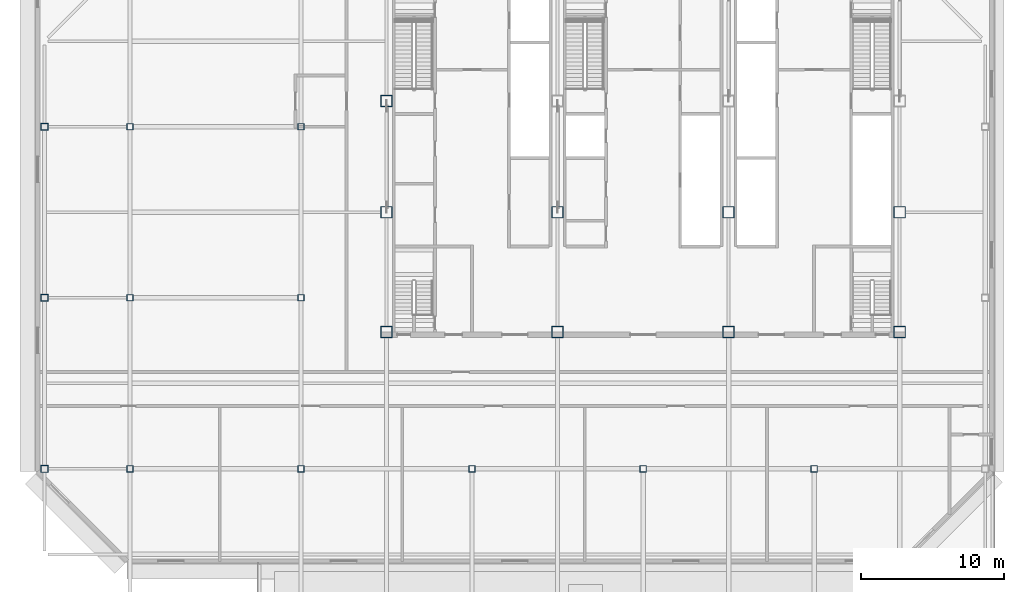
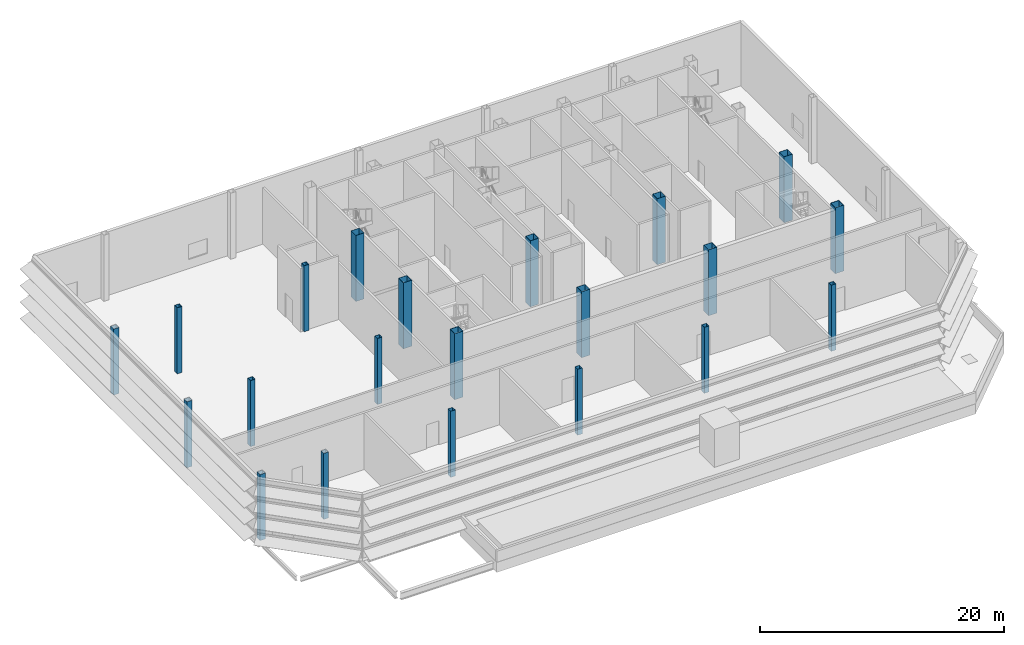
# One storey, part 1 of 14: 21 columns.
"""IFC4 building model written with IfcOpenShell, lengths in metres."""

from ifc_helpers import new_model, si_unit, direction, frame, origin, origin_2d, place, context, subcontext, project, spatial, hollow_rectangle, extrude, material, material_profile, profile_set, type_object, element, save


model = new_model("IFC4")

# Units and contexts
model_context = context("Model", 3, precision=1e-05, world=origin(), true_north=direction((0.0, 1.0)))
body_context = subcontext(model_context, "Body", "Model", "MODEL_VIEW")
ifc_project = project(units=[si_unit("LENGTHUNIT", "METRE"), si_unit("AREAUNIT", "SQUARE_METRE"), si_unit("VOLUMEUNIT", "CUBIC_METRE"), si_unit("PLANEANGLEUNIT", "RADIAN"), si_unit("MASSUNIT", "GRAM", prefix="KILO")], contexts=[model_context])

# Site, building, storey
site_placement = place(None, origin())
site = spatial("IfcSite", under=ifc_project, at=site_placement, CompositionType="ELEMENT")
building_placement = place(site_placement, origin())
building = spatial("IfcBuilding", under=site, at=building_placement, Name="Sorahane Residences", CompositionType="ELEMENT")
storey_placement = place(building_placement, frame((0.0, 0.0, 331.199951171875)))
storey = spatial("IfcBuildingStorey", under=building, at=storey_placement, Name="L79", CompositionType="ELEMENT", Elevation=331.199951171875)

# Columns
ifc_material_1 = material(Name="Steel Q355B", Category="steel")
ifc_material_profile_1 = material_profile(ifc_material_1, hollow_rectangle(XDim=0.449951171875, YDim=0.449951171875, WallThickness=0.02197265625, at=origin_2d()), Name="BOX 450x450x22")
ifc_profile_set_1 = profile_set([ifc_material_profile_1], Name="Steel Q355B")
column_type_1 = type_object("IfcColumnType", Name="Steel box column BOX 450x450x22 Q355B", PredefinedType="COLUMN", material=ifc_profile_set_1)
for number, where, z_axis, x_axis, name in (
    (1, (-12.0, 12.0, 0.0), (0.0, 0.0, 1.0), (1.0, 0.0, 0.0), "Column L79 m12/12"),
    (2, (-12.0, 24.0, 0.0), (0.0, 0.0, 1.0), (1.0, 0.0, 0.0), "Column L79 m12/24"),
    (3, (-12.0, 36.0, 0.0), (0.0, 0.0, 1.0), (1.0, 0.0, 0.0), "Column L79 m12/36"),
    (4, (0.0, 12.0, 0.0), (0.0, 0.0, 1.0), (1.0, 0.0, 0.0), "Column L79 0/12"),
    (5, (0.0, 24.0, 0.0), (0.0, 0.0, 1.0), (1.0, 0.0, 0.0), "Column L79 0/24"),
    (6, (0.0, 36.0, 0.0), (0.0, 0.0, 1.0), (1.0, 0.0, 0.0), "Column L79 0/36"),
    (7, (12.0, 12.0, 0.0), (0.0, 0.0, 1.0), (1.0, 0.0, 0.0), "Column L79 12/12"),
    (8, (24.0, 12.0, 0.0), (0.0, 0.0, 1.0), (1.0, 0.0, 0.0), "Column L79 24/12"),
    (9, (36.0, 12.0, 0.0), (0.0, 0.0, 1.0), (1.0, 0.0, 0.0), "Column L79 36/12"),
):
    element("IfcColumn", number, at=place(storey_placement, frame(where, z_axis=z_axis, x_axis=x_axis)), inside=storey, type_object=column_type_1, Name=name, PredefinedType="COLUMN", context=body_context, shape_type="SweptSolid", body=[
        extrude(hollow_rectangle(XDim=0.449951171875, YDim=0.449951171875, WallThickness=0.02197265625, at=origin_2d()), origin(), (0.0, 0.0, 1.0), 6.60009765625),
    ])
ifc_material_2 = material(Name="Steel Q355B", Category="steel")
ifc_material_profile_2 = material_profile(ifc_material_2, hollow_rectangle(XDim=0.5, YDim=0.5, WallThickness=0.02490234375, at=origin_2d()), Name="BOX 500x500x25")
ifc_profile_set_2 = profile_set([ifc_material_profile_2], Name="Steel Q355B")
column_type_2 = type_object("IfcColumnType", Name="Steel box column BOX 500x500x25 Q355B", PredefinedType="COLUMN", material=ifc_profile_set_2)
for number, where, z_axis, x_axis, name in (
    (10, (-18.0, 12.0, 0.0), (0.0, 0.0, 1.0), (1.0, 0.0, 0.0), "Column L79 m18/12"),
    (11, (-18.0, 24.0, 0.0), (0.0, 0.0, 1.0), (1.0, 0.0, 0.0), "Column L79 m18/24"),
    (12, (-18.0, 36.0, 0.0), (0.0, 0.0, 1.0), (1.0, 0.0, 0.0), "Column L79 m18/36"),
):
    element("IfcColumn", number, at=place(storey_placement, frame(where, z_axis=z_axis, x_axis=x_axis)), inside=storey, type_object=column_type_2, Name=name, PredefinedType="COLUMN", context=body_context, shape_type="SweptSolid", body=[
        extrude(hollow_rectangle(XDim=0.5, YDim=0.5, WallThickness=0.02490234375, at=origin_2d()), origin(), (0.0, 0.0, 1.0), 6.60009765625),
    ])
ifc_material_3 = material(Name="Steel Q355B", Category="steel")
ifc_material_profile_3 = material_profile(ifc_material_3, hollow_rectangle(XDim=0.800048828125, YDim=0.800048828125, WallThickness=0.02490234375, at=origin_2d()), Name="BOX 800x800x25")
ifc_profile_set_3 = profile_set([ifc_material_profile_3], Name="Steel Q355B")
column_type_3 = type_object("IfcColumnType", Name="Steel box column BOX 800x800x25 Q355B", PredefinedType="COLUMN", material=ifc_profile_set_3)
for number, where, z_axis, x_axis, name in (
    (13, (6.0, 21.60009765625, 0.0), (0.0, 0.0, 1.0), (1.0, 0.0, 0.0), "Column L79 6/21.6"),
    (14, (6.0, 30.0, 0.0), (0.0, 0.0, 1.0), (1.0, 0.0, 0.0), "Column L79 6/30"),
    (15, (6.0, 37.800048828125, 0.0), (0.0, 0.0, 1.0), (1.0, 0.0, 0.0), "Column L79 6/37.8"),
    (16, (18.0, 21.60009765625, 0.0), (0.0, 0.0, 1.0), (1.0, 0.0, 0.0), "Column L79 18/21.6"),
    (17, (18.0, 30.0, 0.0), (0.0, 0.0, 1.0), (1.0, 0.0, 0.0), "Column L79 18/30"),
    (18, (30.0, 21.60009765625, 0.0), (0.0, 0.0, 1.0), (1.0, 0.0, 0.0), "Column L79 30/21.6"),
    (19, (30.0, 30.0, 0.0), (0.0, 0.0, 1.0), (1.0, 0.0, 0.0), "Column L79 30/30"),
    (20, (42.0, 21.60009765625, 0.0), (0.0, 0.0, 1.0), (1.0, 0.0, 0.0), "Column L79 42/21.6"),
    (21, (42.0, 30.0, 0.0), (0.0, 0.0, 1.0), (1.0, 0.0, 0.0), "Column L79 42/30"),
):
    element("IfcColumn", number, at=place(storey_placement, frame(where, z_axis=z_axis, x_axis=x_axis)), inside=storey, type_object=column_type_3, Name=name, PredefinedType="COLUMN", context=body_context, shape_type="SweptSolid", body=[
        extrude(hollow_rectangle(XDim=0.800048828125, YDim=0.800048828125, WallThickness=0.02490234375, at=origin_2d()), origin(), (0.0, 0.0, 1.0), 6.60009765625),
    ])

save(model, "model.ifc")
